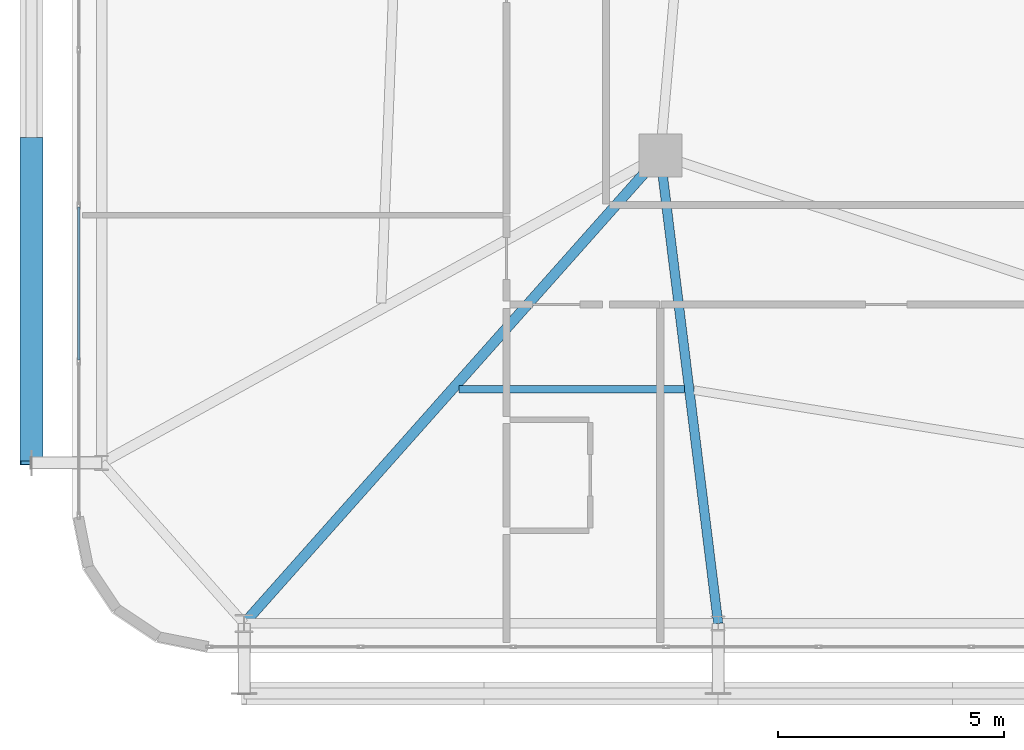
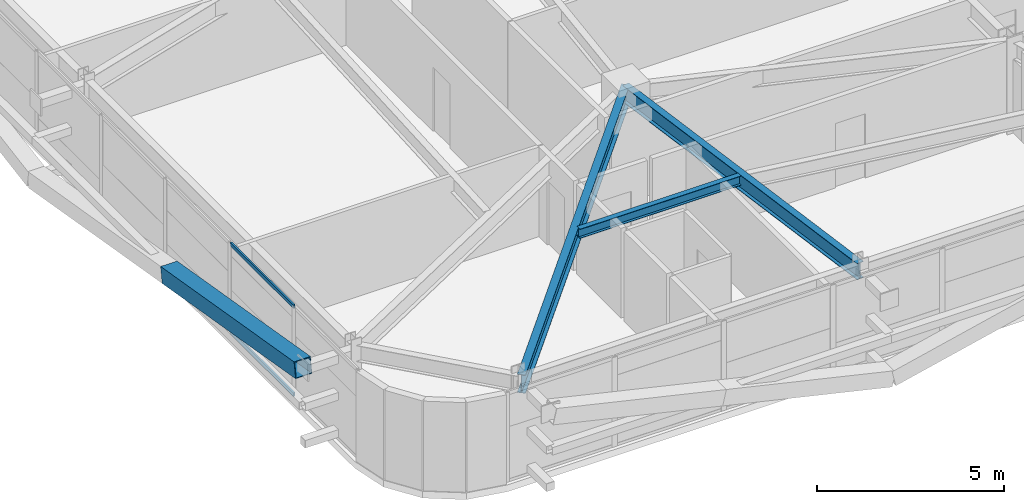
# One storey, part 7 of 59: 3 beams, 3 members, 1 element without a shape of its own.
"""IFC4 building model written with IfcOpenShell, lengths in metres."""

from ifc_helpers import new_model, si_unit, direction, frame, origin, origin_2d, place, context, subcontext, project, spatial, hollow_rectangle, i_section, extrude, source, transform, mapped, material, layer, layer_set, material_profile, profile_set, type_object, element, aggregate, save


model = new_model("IFC4")

# Units and contexts
model_context = context("Model", 3, precision=1e-05, world=origin(), true_north=direction((0.0, 1.0)))
body_context = subcontext(model_context, "Body", "Model", "MODEL_VIEW")
ifc_project = project(units=[si_unit("LENGTHUNIT", "METRE"), si_unit("AREAUNIT", "SQUARE_METRE"), si_unit("VOLUMEUNIT", "CUBIC_METRE"), si_unit("PLANEANGLEUNIT", "RADIAN"), si_unit("MASSUNIT", "GRAM", prefix="KILO")], contexts=[model_context])

# Site, building, storey
site_placement = place(None, origin())
site = spatial("IfcSite", under=ifc_project, at=site_placement, CompositionType="ELEMENT")
building_placement = place(site_placement, origin())
building = spatial("IfcBuilding", under=site, at=building_placement, Name="Taldren Reach Tower", CompositionType="ELEMENT")
storey_placement = place(building_placement, frame((0.0, 0.0, 26.25)))
storey = spatial("IfcBuildingStorey", under=building, at=storey_placement, Name="L07", CompositionType="ELEMENT", Elevation=26.25)

# Beams
ifc_material_1 = material(Name="Steel Gr 350 (350PLUS)", Category="steel")
ifc_material_profile_1 = material_profile(ifc_material_1, i_section(OverallWidth=0.22802734375, OverallDepth=0.60205078125, WebThickness=0.010498046875, FlangeThickness=0.014892578125, at=origin_2d()), Name="610UB101")
ifc_profile_set_1 = profile_set([ifc_material_profile_1], Name="Steel Gr 350 (350PLUS)")
beam_type_1 = type_object("IfcBeamType", Name="BM-UB610B", PredefinedType="BEAM", material=ifc_profile_set_1)
shared_shape_1 = source(origin(), body_context, "Body", "SweptSolid", [
    extrude(i_section(OverallWidth=0.22802734375, OverallDepth=0.60205078125, WebThickness=0.010498046875, FlangeThickness=0.014892578125, at=origin_2d()), origin(), (0.0, 0.0, 1.0), 13.847900390625),
])
beam_1_placement = place(storey_placement, frame((18.0, 12.5, 2.62890625), z_axis=(-0.664358367375, -0.747414182164, 0.0), x_axis=(0.747414182164, -0.664358367375, 0.0)))
element("IfcBeam", 1, at=beam_1_placement, inside=storey, type_object=beam_type_1, Name="Primary floor girder B1-S1 L07", PredefinedType="BEAM", context=body_context, shape_type="MappedRepresentation", body=[
    mapped(shared_shape_1, transform((0.0, 0.0, 0.0), scale=1.0)),
])
ifc_material_profile_2 = material_profile(ifc_material_1, i_section(OverallWidth=0.208984375, OverallDepth=0.532958984375, WebThickness=0.01025390625, FlangeThickness=0.015625, at=origin_2d()), Name="530UB92.4")
ifc_profile_set_2 = profile_set([ifc_material_profile_2], Name="Steel Gr 350 (350PLUS)")
beam_type_2 = type_object("IfcBeamType", Name="BM-UB530A", PredefinedType="BEAM", material=ifc_profile_set_2)
shared_shape_2 = source(origin(), body_context, "Body", "SweptSolid", [
    extrude(i_section(OverallWidth=0.208984375, OverallDepth=0.532958984375, WebThickness=0.01025390625, FlangeThickness=0.015625, at=origin_2d()), origin(), (0.0, 0.0, 1.0), 10.428955078125),
])
beam_2_placement = place(storey_placement, frame((18.0, 12.5, 2.66357421875), z_axis=(0.122738080664, -0.992439098159, 0.0), x_axis=(0.992439098159, 0.122738080664, 0.0)))
element("IfcBeam", 2, at=beam_2_placement, inside=storey, type_object=beam_type_2, Name="Primary floor girder B1-S2 L07", PredefinedType="BEAM", context=body_context, shape_type="MappedRepresentation", body=[
    mapped(shared_shape_2, transform((0.0, 0.0, 0.0), scale=1.0)),
])
ifc_material_2 = material(Name="Steel Gr 300 (300PLUS, 300 MPa)", Category="steel")
ifc_material_profile_3 = material_profile(ifc_material_2, i_section(OverallWidth=0.166015625, OverallDepth=0.306884765625, WebThickness=0.006591796875, FlangeThickness=0.01171875, at=origin_2d()), Name="310UB46.2")
ifc_profile_set_3 = profile_set([ifc_material_profile_3], Name="Steel Gr 300 (300PLUS, 300 MPa)")
beam_type_3 = type_object("IfcBeamType", Name="JS-UB310", PredefinedType="JOIST", material=ifc_profile_set_3)
shared_shape_3 = source(origin(), body_context, "Body", "SweptSolid", [
    extrude(i_section(OverallWidth=0.166015625, OverallDepth=0.306884765625, WebThickness=0.006591796875, FlangeThickness=0.01171875, at=origin_2d()), origin(), (0.0, 0.0, 1.0), 4.982177734375),
])
beam_3_placement = place(storey_placement, frame((13.552490234375, 7.324951171875, 2.776611328125), z_axis=(1.0, 0.0, 0.0), x_axis=(0.0, 1.0, 0.0)))
element("IfcBeam", 3, at=beam_3_placement, inside=storey, type_object=beam_type_3, Name="Secondary floor joist B1 J1 L07", PredefinedType="JOIST", context=body_context, shape_type="MappedRepresentation", body=[
    mapped(shared_shape_3, transform((0.0, 0.0, 0.0), scale=1.0)),
])

# Member
ifc_material_3 = material(Name="Steel Gr 450 (C450L0)", Category="steel")
ifc_material_profile_4 = material_profile(ifc_material_3, hollow_rectangle(XDim=0.510009765625, YDim=0.510009765625, WallThickness=0.02001953125, at=origin_2d()), Name="510x510x20.0SHS")
ifc_profile_set_4 = profile_set([ifc_material_profile_4], Name="Steel Gr 450 (C450L0)")
member_type_1 = type_object("IfcMemberType", Name="MB-EXO508", PredefinedType="BRACE", material=ifc_profile_set_4)
shared_shape_4 = source(origin(), body_context, "Body", "SweptSolid", [
    extrude(hollow_rectangle(XDim=0.510009765625, YDim=0.510009765625, WallThickness=0.02001953125, at=origin_2d()), origin(), (0.0, 0.0, 1.0), 7.252685546875),
])
member_1_placement = place(storey_placement, frame((4.10009765625, 12.85009765625, 1.43505859375), z_axis=(0.0, -0.985871360071, 0.167504213054), x_axis=(1.0, 0.0, 0.0)))
element("IfcMember", 4, at=member_1_placement, inside=storey, type_object=member_type_1, Name="Exoskeleton Diagrid Brace B1-W1 L07", PredefinedType="BRACE", context=body_context, shape_type="MappedRepresentation", body=[
    mapped(shared_shape_4, transform((0.0, 0.0, 0.0), scale=1.0)),
])

# Curtain wall, members
ifc_material_4 = material(Name="Aluminium and Low-E Glass Unitised System", Category="aluminium")
ifc_layer = layer(ifc_material_4, 0.159912109375)
ifc_layer_set = layer_set([ifc_layer], Name="Aluminium and Low-E Glass Unitised System")
curtain_wall_type = type_object("IfcCurtainWallType", Name="CW-SYS-2", PredefinedType="NOTDEFINED", material=ifc_layer_set)
curtain_wall_placement = place(storey_placement, origin())
curtain_wall = element("IfcCurtainWall", 5, at=curtain_wall_placement, inside=storey, type_object=curtain_wall_type, Name="Unitised curtain wall CW-L07-W", PredefinedType="NOTDEFINED")
ifc_material_5 = material(Name="Anodised Aluminium 6063-T6", Category="aluminium")
ifc_material_profile_5 = material_profile(ifc_material_5, hollow_rectangle(XDim=0.054931640625, YDim=0.1201171875, WallThickness=0.0029296875, at=origin_2d()), Name="ALU-120x55x3RHS")
ifc_profile_set_5 = profile_set([ifc_material_profile_5], Name="Anodised Aluminium 6063-T6")
member_type_2 = type_object("IfcMemberType", Name="CW-TRN-135", PredefinedType="USERDEFINED", material=ifc_profile_set_5)
shared_shape_5 = source(origin(), body_context, "Body", "SweptSolid", [
    extrude(hollow_rectangle(XDim=0.054931640625, YDim=0.1201171875, WallThickness=0.0029296875, at=origin_2d()), origin(), (0.0, 0.0, 1.0), 3.37939453125),
])
member_2_placement = place(storey_placement, frame((5.139892578125, 11.3564453125, 0.027587890625), z_axis=(0.0, -1.0, 0.0), x_axis=(1.0, 0.0, 0.0)))
member_2 = element("IfcMember", 6, at=member_2_placement, type_object=member_type_2, Name="CW-2 transom 8.1", ObjectType="TRANSOM", PredefinedType="USERDEFINED", context=body_context, shape_type="MappedRepresentation", body=[
    mapped(shared_shape_5, transform((0.0, 0.0, 0.0), scale=1.0)),
])
member_3_placement = place(storey_placement, frame((5.139892578125, 11.3564453125, 2.902587890625), z_axis=(0.0, -1.0, 0.0), x_axis=(1.0, 0.0, 0.0)))
member_3 = element("IfcMember", 7, at=member_3_placement, type_object=member_type_2, Name="CW-2 transom 8.2", ObjectType="TRANSOM", PredefinedType="USERDEFINED", context=body_context, shape_type="MappedRepresentation", body=[
    mapped(shared_shape_5, transform((0.0, 0.0, 0.0), scale=1.0)),
])
aggregate(curtain_wall, [member_2, member_3])

save(model, "model.ifc")
